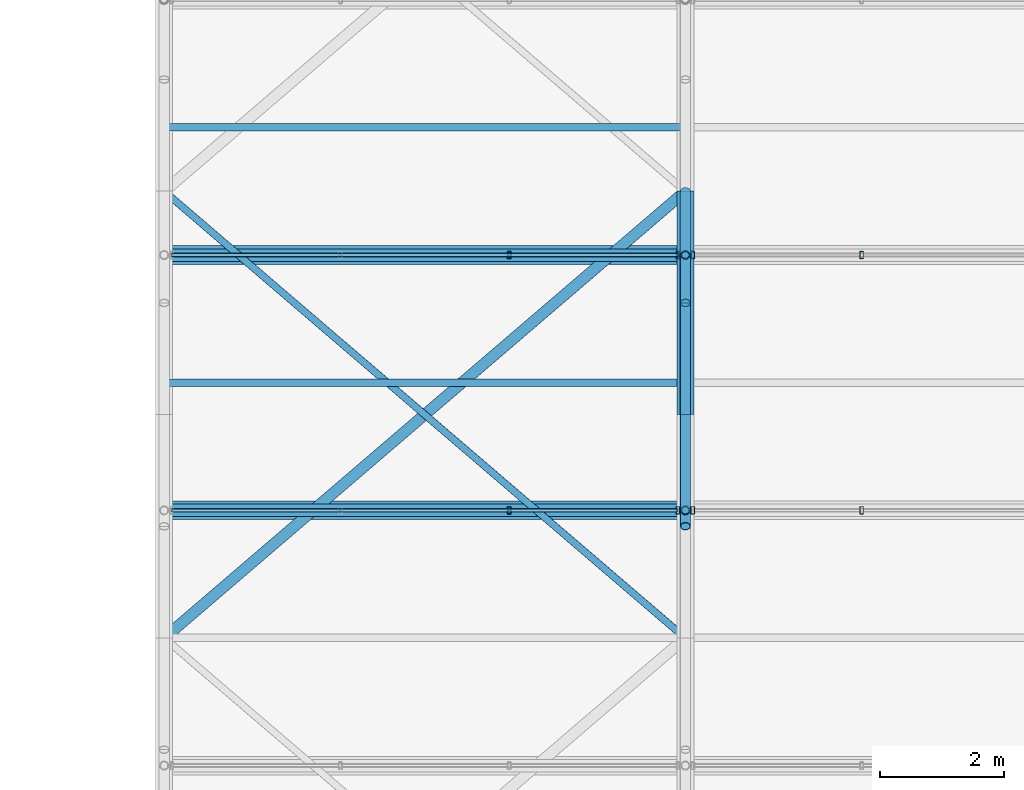
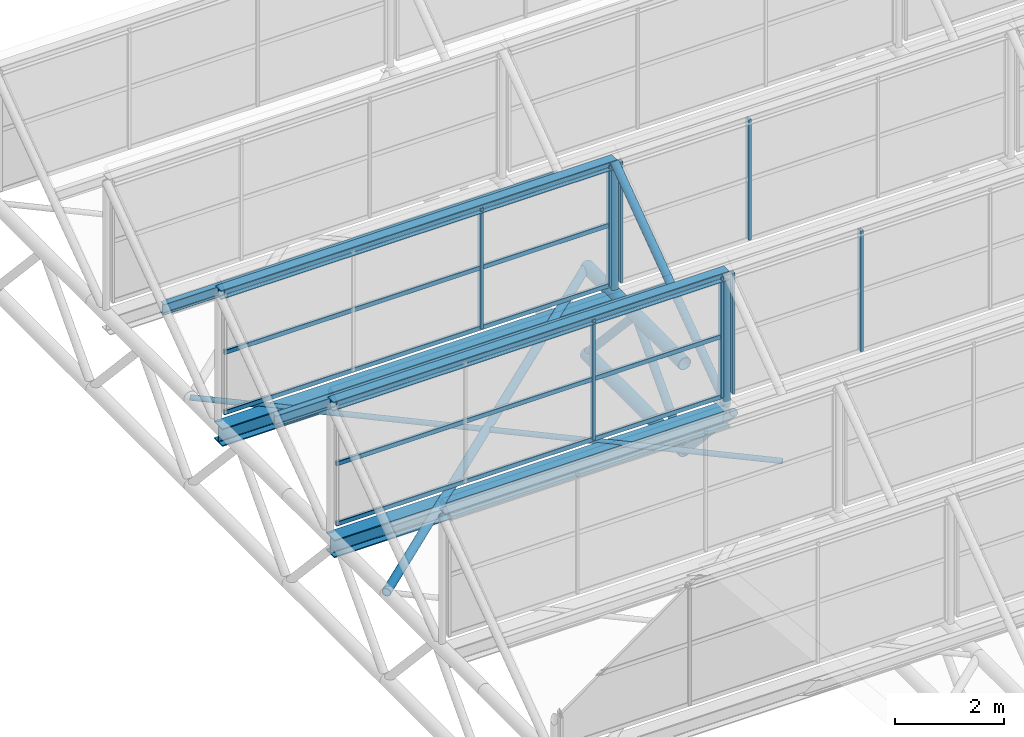
# One storey, part 60 of 134: 24 members, 6 beams, 4 elements without a shape of their own.
"""IFC4 building model written with IfcOpenShell, lengths in metres."""

from ifc_helpers import new_model, si_unit, derived_unit, direction, frame, origin, origin_2d, place, context, subcontext, project, spatial, hollow_rectangle, hollow_circle, i_section, extrude, material, material_profile, profile_set, type_object, element, aggregate, save


model = new_model("IFC4")

# Units and contexts
model_context = context("Model", 3, precision=1e-05, world=origin(), true_north=direction((0.0, 1.0)))
body_context = subcontext(model_context, "Body", "Model", "MODEL_VIEW")
ifc_project = project(units=[si_unit("LENGTHUNIT", "METRE"), si_unit("AREAUNIT", "SQUARE_METRE"), si_unit("VOLUMEUNIT", "CUBIC_METRE"), si_unit("PLANEANGLEUNIT", "RADIAN"), si_unit("MASSUNIT", "GRAM", prefix="KILO"), derived_unit("THERMALTRANSMITTANCEUNIT", [(si_unit("MASSUNIT", "GRAM", prefix="KILO"), 1), (si_unit("TIMEUNIT", "SECOND"), -3), (si_unit("THERMODYNAMICTEMPERATUREUNIT", "KELVIN"), -1)])], contexts=[model_context])

# Site, building, storey
site_placement = place(None, origin())
site = spatial("IfcSite", under=ifc_project, at=site_placement, CompositionType="ELEMENT")
building_placement = place(site_placement, origin())
building = spatial("IfcBuilding", under=site, at=building_placement, Name="Kharveza Railside Sports Centre", CompositionType="ELEMENT")
storey_placement = place(building_placement, frame((0.0, 0.0, 12.89990234375)))
storey = spatial("IfcBuildingStorey", under=building, at=storey_placement, Name="L03", CompositionType="ELEMENT", Elevation=12.89990234375)

# Beams
ifc_material_1 = material(Name="Steel S355J2", Category="steel")
ifc_material_profile_1 = material_profile(ifc_material_1, i_section(OverallWidth=0.300048828125, OverallDepth=0.39990234375, WebThickness=0.013427734375, FlangeThickness=0.02392578125, FilletRadius=0.027099609375, at=origin_2d()), Name="HEB 400")
ifc_profile_set_1 = profile_set([ifc_material_profile_1], Name="Steel S355J2")
beam_type_1 = type_object("IfcBeamType", Name="BM-G07", PredefinedType="T_BEAM", material=ifc_profile_set_1)
for number, where, z_axis, x_axis, name in (
    (1, (92.39990234375, 95.656982421875, 1.760009765625), (1.0, 0.0, 0.0), (0.0, 1.0, 0.0), "BM-V2SAW-VAL-5-1"),
    (2, (92.39990234375, 99.771484375, 1.760009765625), (1.0, 0.0, 0.0), (0.0, 1.0, 0.0), "BM-V2SAW-VAL-6-1"),
):
    element("IfcBeam", number, at=place(storey_placement, frame(where, z_axis=z_axis, x_axis=x_axis)), inside=storey, type_object=beam_type_1, Name=name, PredefinedType="T_BEAM", context=body_context, shape_type="SweptSolid", body=[
        extrude(i_section(OverallWidth=0.300048828125, OverallDepth=0.39990234375, WebThickness=0.013427734375, FlangeThickness=0.02392578125, FilletRadius=0.027099609375, at=origin_2d()), origin(), (0.0, 0.0, 1.0), 8.400146484375),
    ])
ifc_material_2 = material(Name="Steel S275JR", Category="steel")
ifc_material_profile_2 = material_profile(ifc_material_2, i_section(OverallWidth=0.1201171875, OverallDepth=0.239990234375, WebThickness=0.006103515625, FlangeThickness=0.009765625, FilletRadius=0.014892578125, at=origin_2d()), Name="IPE 240")
ifc_profile_set_2 = profile_set([ifc_material_profile_2], Name="Steel S275JR")
beam_type_2 = type_object("IfcBeamType", Name="BM-J01", PredefinedType="JOIST", material=ifc_profile_set_2)
for number, where, z_axis, x_axis, name in (
    (3, (92.39990234375, 97.714111328125, 3.320068359375), (1.0, 0.0, 0.0), (0.0, 1.0, 0.0), "BM-V2SAW-PUR-5-1"),
    (4, (92.39990234375, 101.82861328125, 3.320068359375), (1.0, 0.0, 0.0), (0.0, 1.0, 0.0), "BM-V2SAW-PUR-6-1"),
):
    element("IfcBeam", number, at=place(storey_placement, frame(where, z_axis=z_axis, x_axis=x_axis)), inside=storey, type_object=beam_type_2, Name=name, PredefinedType="JOIST", context=body_context, shape_type="SweptSolid", body=[
        extrude(i_section(OverallWidth=0.1201171875, OverallDepth=0.239990234375, WebThickness=0.006103515625, FlangeThickness=0.009765625, FilletRadius=0.014892578125, at=origin_2d()), origin(), (0.0, 0.0, 1.0), 8.400146484375),
    ])
ifc_material_profile_3 = material_profile(ifc_material_2, i_section(OverallWidth=0.199951171875, OverallDepth=0.199951171875, WebThickness=0.009033203125, FlangeThickness=0.014892578125, FilletRadius=0.01806640625, at=origin_2d()), Name="HEB 200")
ifc_profile_set_3 = profile_set([ifc_material_profile_3], Name="Steel S275JR")
beam_type_3 = type_object("IfcBeamType", Name="BM-J05", PredefinedType="JOIST", material=ifc_profile_set_3)
for number, where, z_axis, x_axis, name in (
    (5, (92.39990234375, 95.656982421875, 4.920166015625), (1.0, 0.0, 0.0), (0.0, 1.0, 0.0), "BM-V2SAW-RDG-4-1"),
    (6, (92.39990234375, 99.771484375, 4.920166015625), (1.0, 0.0, 0.0), (0.0, 1.0, 0.0), "BM-V2SAW-RDG-5-1"),
):
    element("IfcBeam", number, at=place(storey_placement, frame(where, z_axis=z_axis, x_axis=x_axis)), inside=storey, type_object=beam_type_3, Name=name, PredefinedType="JOIST", context=body_context, shape_type="SweptSolid", body=[
        extrude(i_section(OverallWidth=0.199951171875, OverallDepth=0.199951171875, WebThickness=0.009033203125, FlangeThickness=0.014892578125, FilletRadius=0.01806640625, at=origin_2d()), origin(), (0.0, 0.0, 1.0), 8.400146484375),
    ])

# Curtain wall, members
ifc_material_3 = material(Name="Low-E solar-control laminated glass", Category="glass")
curtain_wall_type = type_object("IfcCurtainWallType", Name="CW-NL02", PredefinedType="NOTDEFINED", material=ifc_material_3)
curtain_wall_1_placement = place(storey_placement, origin())
curtain_wall_1 = element("IfcCurtainWall", 7, at=curtain_wall_1_placement, inside=storey, type_object=curtain_wall_type, Name="CW-V2NL-4-1", PredefinedType="NOTDEFINED")
ifc_material_4 = material(Name="Anodised aluminium 6063-T6", Category="aluminium")
ifc_material_profile_4 = material_profile(ifc_material_4, hollow_rectangle(XDim=0.06005859375, YDim=0.1201171875, WallThickness=0.0048828125, InnerFilletRadius=0.0048828125, OuterFilletRadius=0.010009765625, at=origin_2d()), Name="RHS 60x120x5.0")
ifc_profile_set_4 = profile_set([ifc_material_profile_4], Name="Anodised aluminium 6063-T6")
member_type_1 = type_object("IfcMemberType", Name="CW-ML05", PredefinedType="MULLION", material=ifc_profile_set_4)
member_1_placement = place(storey_placement, frame((97.9599609375, 95.656982421875, 2.2001953125), z_axis=(0.0, 0.0, 1.0), x_axis=(1.0, 0.0, 0.0)))
member_1 = element("IfcMember", 8, at=member_1_placement, type_object=member_type_1, Name="CW-V2NL-4-1-ML3", PredefinedType="MULLION", context=body_context, shape_type="SweptSolid", body=[
    extrude(hollow_rectangle(XDim=0.06005859375, YDim=0.1201171875, WallThickness=0.0048828125, InnerFilletRadius=0.0048828125, OuterFilletRadius=0.010009765625, at=origin_2d()), origin(), (0.0, 0.0, 1.0), 2.699951171875),
])
member_2_placement = place(storey_placement, frame((100.679931640625, 95.656982421875, 2.2001953125), z_axis=(0.0, 0.0, 1.0), x_axis=(1.0, 0.0, 0.0)))
member_2 = element("IfcMember", 9, at=member_2_placement, type_object=member_type_1, Name="CW-V2NL-4-1-ML4", PredefinedType="MULLION", context=body_context, shape_type="SweptSolid", body=[
    extrude(hollow_rectangle(XDim=0.06005859375, YDim=0.1201171875, WallThickness=0.0048828125, InnerFilletRadius=0.0048828125, OuterFilletRadius=0.010009765625, at=origin_2d()), origin(), (0.0, 0.0, 1.0), 2.699951171875),
])

curtain_wall_2_placement = place(storey_placement, origin())
curtain_wall_2 = element("IfcCurtainWall", 10, at=curtain_wall_2_placement, inside=storey, type_object=curtain_wall_type, Name="CW-V2NL-4-2", PredefinedType="NOTDEFINED")
member_3_placement = place(storey_placement, frame((100.919921875, 95.656982421875, 2.2001953125), z_axis=(0.0, 0.0, 1.0), x_axis=(1.0, 0.0, 0.0)))
member_3 = element("IfcMember", 11, at=member_3_placement, type_object=member_type_1, Name="CW-V2NL-4-2-ML1", PredefinedType="MULLION", context=body_context, shape_type="SweptSolid", body=[
    extrude(hollow_rectangle(XDim=0.06005859375, YDim=0.1201171875, WallThickness=0.0048828125, InnerFilletRadius=0.0048828125, OuterFilletRadius=0.010009765625, at=origin_2d()), origin(), (0.0, 0.0, 1.0), 2.699951171875),
])
member_4_placement = place(storey_placement, frame((103.639892578125, 95.656982421875, 2.2001953125), z_axis=(0.0, 0.0, 1.0), x_axis=(1.0, 0.0, 0.0)))
member_4 = element("IfcMember", 12, at=member_4_placement, type_object=member_type_1, Name="CW-V2NL-4-2-ML2", PredefinedType="MULLION", context=body_context, shape_type="SweptSolid", body=[
    extrude(hollow_rectangle(XDim=0.06005859375, YDim=0.1201171875, WallThickness=0.0048828125, InnerFilletRadius=0.0048828125, OuterFilletRadius=0.010009765625, at=origin_2d()), origin(), (0.0, 0.0, 1.0), 2.699951171875),
])
aggregate(curtain_wall_2, [member_3, member_4])

curtain_wall_3_placement = place(storey_placement, origin())
curtain_wall_3 = element("IfcCurtainWall", 13, at=curtain_wall_3_placement, inside=storey, type_object=curtain_wall_type, Name="CW-V2NL-5-1", PredefinedType="NOTDEFINED")
member_5_placement = place(storey_placement, frame((97.9599609375, 99.771484375, 2.2001953125), z_axis=(0.0, 0.0, 1.0), x_axis=(1.0, 0.0, 0.0)))
member_5 = element("IfcMember", 14, at=member_5_placement, type_object=member_type_1, Name="CW-V2NL-5-1-ML3", PredefinedType="MULLION", context=body_context, shape_type="SweptSolid", body=[
    extrude(hollow_rectangle(XDim=0.06005859375, YDim=0.1201171875, WallThickness=0.0048828125, InnerFilletRadius=0.0048828125, OuterFilletRadius=0.010009765625, at=origin_2d()), origin(), (0.0, 0.0, 1.0), 2.699951171875),
])
member_6_placement = place(storey_placement, frame((100.679931640625, 99.771484375, 2.2001953125), z_axis=(0.0, 0.0, 1.0), x_axis=(1.0, 0.0, 0.0)))
member_6 = element("IfcMember", 15, at=member_6_placement, type_object=member_type_1, Name="CW-V2NL-5-1-ML4", PredefinedType="MULLION", context=body_context, shape_type="SweptSolid", body=[
    extrude(hollow_rectangle(XDim=0.06005859375, YDim=0.1201171875, WallThickness=0.0048828125, InnerFilletRadius=0.0048828125, OuterFilletRadius=0.010009765625, at=origin_2d()), origin(), (0.0, 0.0, 1.0), 2.699951171875),
])

curtain_wall_4_placement = place(storey_placement, origin())
curtain_wall_4 = element("IfcCurtainWall", 16, at=curtain_wall_4_placement, inside=storey, type_object=curtain_wall_type, Name="CW-V2NL-5-2", PredefinedType="NOTDEFINED")
member_7_placement = place(storey_placement, frame((100.919921875, 99.771484375, 2.2001953125), z_axis=(0.0, 0.0, 1.0), x_axis=(1.0, 0.0, 0.0)))
member_7 = element("IfcMember", 17, at=member_7_placement, type_object=member_type_1, Name="CW-V2NL-5-2-ML1", PredefinedType="MULLION", context=body_context, shape_type="SweptSolid", body=[
    extrude(hollow_rectangle(XDim=0.06005859375, YDim=0.1201171875, WallThickness=0.0048828125, InnerFilletRadius=0.0048828125, OuterFilletRadius=0.010009765625, at=origin_2d()), origin(), (0.0, 0.0, 1.0), 2.699951171875),
])
member_8_placement = place(storey_placement, frame((103.639892578125, 99.771484375, 2.2001953125), z_axis=(0.0, 0.0, 1.0), x_axis=(1.0, 0.0, 0.0)))
member_8 = element("IfcMember", 18, at=member_8_placement, type_object=member_type_1, Name="CW-V2NL-5-2-ML2", PredefinedType="MULLION", context=body_context, shape_type="SweptSolid", body=[
    extrude(hollow_rectangle(XDim=0.06005859375, YDim=0.1201171875, WallThickness=0.0048828125, InnerFilletRadius=0.0048828125, OuterFilletRadius=0.010009765625, at=origin_2d()), origin(), (0.0, 0.0, 1.0), 2.699951171875),
])
aggregate(curtain_wall_4, [member_7, member_8])

# Member
ifc_material_profile_5 = material_profile(ifc_material_4, hollow_rectangle(XDim=0.06005859375, YDim=0.10009765625, WallThickness=0.00390625, InnerFilletRadius=0.00390625, OuterFilletRadius=0.008056640625, at=origin_2d()), Name="RHS 60x100x4.0")
ifc_profile_set_5 = profile_set([ifc_material_profile_5], Name="Anodised aluminium 6063-T6")
member_type_2 = type_object("IfcMemberType", Name="CW-TR05", PredefinedType="USERDEFINED", material=ifc_profile_set_5)
member_9_placement = place(storey_placement, frame((92.52001953125, 95.656982421875, 2.2001953125), z_axis=(1.0, 0.0, 0.0), x_axis=(0.0, 1.0, 0.0)))
member_9 = element("IfcMember", 19, at=member_9_placement, type_object=member_type_2, Name="CW-V2NL-4-1-TR1", ObjectType="TRANSOM", PredefinedType="USERDEFINED", context=body_context, shape_type="SweptSolid", body=[
    extrude(hollow_rectangle(XDim=0.06005859375, YDim=0.10009765625, WallThickness=0.00390625, InnerFilletRadius=0.00390625, OuterFilletRadius=0.008056640625, at=origin_2d()), origin(), (0.0, 0.0, 1.0), 8.159912109375),
])

member_10_placement = place(storey_placement, frame((92.52001953125, 95.656982421875, 3.550048828125), z_axis=(1.0, 0.0, 0.0), x_axis=(0.0, 1.0, 0.0)))
member_10 = element("IfcMember", 20, at=member_10_placement, type_object=member_type_2, Name="CW-V2NL-4-1-TR2", ObjectType="TRANSOM", PredefinedType="USERDEFINED", context=body_context, shape_type="SweptSolid", body=[
    extrude(hollow_rectangle(XDim=0.06005859375, YDim=0.10009765625, WallThickness=0.00390625, InnerFilletRadius=0.00390625, OuterFilletRadius=0.008056640625, at=origin_2d()), origin(), (0.0, 0.0, 1.0), 8.159912109375),
])

member_11_placement = place(storey_placement, frame((92.52001953125, 95.656982421875, 4.900146484375), z_axis=(1.0, 0.0, 0.0), x_axis=(0.0, 1.0, 0.0)))
member_11 = element("IfcMember", 21, at=member_11_placement, type_object=member_type_2, Name="CW-V2NL-4-1-TR3", ObjectType="TRANSOM", PredefinedType="USERDEFINED", context=body_context, shape_type="SweptSolid", body=[
    extrude(hollow_rectangle(XDim=0.06005859375, YDim=0.10009765625, WallThickness=0.00390625, InnerFilletRadius=0.00390625, OuterFilletRadius=0.008056640625, at=origin_2d()), origin(), (0.0, 0.0, 1.0), 8.159912109375),
])

aggregate(curtain_wall_1, [member_1, member_2, member_9, member_10, member_11])

member_12_placement = place(storey_placement, frame((92.52001953125, 99.771484375, 2.2001953125), z_axis=(1.0, 0.0, 0.0), x_axis=(0.0, 1.0, 0.0)))
member_12 = element("IfcMember", 22, at=member_12_placement, type_object=member_type_2, Name="CW-V2NL-5-1-TR1", ObjectType="TRANSOM", PredefinedType="USERDEFINED", context=body_context, shape_type="SweptSolid", body=[
    extrude(hollow_rectangle(XDim=0.06005859375, YDim=0.10009765625, WallThickness=0.00390625, InnerFilletRadius=0.00390625, OuterFilletRadius=0.008056640625, at=origin_2d()), origin(), (0.0, 0.0, 1.0), 8.159912109375),
])

member_13_placement = place(storey_placement, frame((92.52001953125, 99.771484375, 3.550048828125), z_axis=(1.0, 0.0, 0.0), x_axis=(0.0, 1.0, 0.0)))
member_13 = element("IfcMember", 23, at=member_13_placement, type_object=member_type_2, Name="CW-V2NL-5-1-TR2", ObjectType="TRANSOM", PredefinedType="USERDEFINED", context=body_context, shape_type="SweptSolid", body=[
    extrude(hollow_rectangle(XDim=0.06005859375, YDim=0.10009765625, WallThickness=0.00390625, InnerFilletRadius=0.00390625, OuterFilletRadius=0.008056640625, at=origin_2d()), origin(), (0.0, 0.0, 1.0), 8.159912109375),
])

member_14_placement = place(storey_placement, frame((92.52001953125, 99.771484375, 4.900146484375), z_axis=(1.0, 0.0, 0.0), x_axis=(0.0, 1.0, 0.0)))
member_14 = element("IfcMember", 24, at=member_14_placement, type_object=member_type_2, Name="CW-V2NL-5-1-TR3", ObjectType="TRANSOM", PredefinedType="USERDEFINED", context=body_context, shape_type="SweptSolid", body=[
    extrude(hollow_rectangle(XDim=0.06005859375, YDim=0.10009765625, WallThickness=0.00390625, InnerFilletRadius=0.00390625, OuterFilletRadius=0.008056640625, at=origin_2d()), origin(), (0.0, 0.0, 1.0), 8.159912109375),
])

aggregate(curtain_wall_3, [member_5, member_6, member_12, member_13, member_14])

# Members
ifc_material_profile_6 = material_profile(ifc_material_1, hollow_circle(Radius=0.0888671875, WallThickness=0.010009765625, at=origin_2d()), Name="CHS 177.8x10.0")
ifc_profile_set_6 = profile_set([ifc_material_profile_6], Name="Steel S355J2")
member_type_3 = type_object("IfcMemberType", Name="MB-BR03", PredefinedType="BRACE", material=ifc_profile_set_6)
member_15_placement = place(storey_placement, frame((92.39990234375, 93.60009765625, 1.9501953125), z_axis=(0.759264390716, 0.650782286936, 0.0), x_axis=(-0.650782286936, 0.759264390716, 0.0)))
element("IfcMember", 25, at=member_15_placement, inside=storey, type_object=member_type_3, Name="MB-ROOFBR-V2-1-3A", PredefinedType="BRACE", context=body_context, shape_type="SweptSolid", body=[
    extrude(hollow_circle(Radius=0.0888671875, WallThickness=0.010009765625, at=origin_2d()), origin(), (0.0, 0.0, 1.0), 11.0634765625),
])
ifc_material_profile_7 = material_profile(ifc_material_2, hollow_circle(Radius=0.05712890625, WallThickness=0.00634765625, at=origin_2d()), Name="CHS 114.3x6.3")
ifc_profile_set_7 = profile_set([ifc_material_profile_7], Name="Steel S275JR")
member_type_4 = type_object("IfcMemberType", Name="MB-BR04", PredefinedType="BRACE", material=ifc_profile_set_7)
member_16_placement = place(storey_placement, frame((100.800048828125, 93.60009765625, 1.9501953125), z_axis=(-0.759264390716, 0.650782286936, 0.0), x_axis=(-0.650782286936, -0.759264390716, 0.0)))
element("IfcMember", 26, at=member_16_placement, inside=storey, type_object=member_type_4, Name="MB-ROOFBR-V2-1-3B", PredefinedType="BRACE", context=body_context, shape_type="SweptSolid", body=[
    extrude(hollow_circle(Radius=0.05712890625, WallThickness=0.00634765625, at=origin_2d()), origin(), (0.0, 0.0, 1.0), 11.0634765625),
])
ifc_material_profile_8 = material_profile(ifc_material_1, hollow_circle(Radius=0.136474609375, WallThickness=0.01416015625, at=origin_2d()), Name="CHS 273.0x14.2")
ifc_profile_set_8 = profile_set([ifc_material_profile_8], Name="Steel S355J2")
member_type_5 = type_object("IfcMemberType", Name="MB-CH03", PredefinedType="CHORD", material=ifc_profile_set_8)
for number, where, z_axis, x_axis, name in (
    (27, (100.800048828125, 97.199951171875, 0.0), (0.0, 1.0, 0.0), (-1.0, 0.0, 0.0), "MB-V2TR-BC-2-6"),
    (28, (100.800048828125, 97.199951171875, 1.9501953125), (0.0, 1.0, 0.0), (-1.0, 0.0, 0.0), "MB-V2TR-TC-2-6"),
):
    element("IfcMember", number, at=place(storey_placement, frame(where, z_axis=z_axis, x_axis=x_axis)), inside=storey, type_object=member_type_5, Name=name, PredefinedType="CHORD", context=body_context, shape_type="SweptSolid", body=[
        extrude(hollow_circle(Radius=0.136474609375, WallThickness=0.01416015625, at=origin_2d()), origin(), (0.0, 0.0, 1.0), 3.60009765625),
    ])
ifc_material_profile_9 = material_profile(ifc_material_1, hollow_circle(Radius=0.084228515625, WallThickness=0.010009765625, at=origin_2d()), Name="CHS 168.3x10.0")
ifc_profile_set_9 = profile_set([ifc_material_profile_9], Name="Steel S355J2")
member_type_6 = type_object("IfcMemberType", Name="MB-ST03", PredefinedType="STRUT", material=ifc_profile_set_9)
for number, where, z_axis, x_axis, name in (
    (29, (100.800048828125, 95.39990234375, 1.9501953125), (0.0, 0.67825335715, -0.734828131956), (-1.0, 0.0, 0.0), "MB-V2TR-D2-2-5"),
    (30, (100.800048828125, 97.199951171875, 0.0), (0.0, 0.67825335715, 0.734828131956), (-1.0, 0.0, 0.0), "MB-V2TR-D1-2-6"),
    (31, (100.800048828125, 99.0, 1.9501953125), (0.0, 0.67825335715, -0.734828131956), (-1.0, 0.0, 0.0), "MB-V2TR-D2-2-6"),
):
    element("IfcMember", number, at=place(storey_placement, frame(where, z_axis=z_axis, x_axis=x_axis)), inside=storey, type_object=member_type_6, Name=name, PredefinedType="STRUT", context=body_context, shape_type="SweptSolid", body=[
        extrude(hollow_circle(Radius=0.084228515625, WallThickness=0.010009765625, at=origin_2d()), origin(), (0.0, 0.0, 1.0), 2.654052734375),
    ])
member_17_placement = place(storey_placement, frame((100.800048828125, 95.656982421875, 1.9501953125), z_axis=(0.0, 0.810830173333, 0.585281496386), x_axis=(-1.0, 0.0, 0.0)))
element("IfcMember", 32, at=member_17_placement, inside=storey, type_object=member_type_6, Name="MB-V2SAW-RFT-5-2", PredefinedType="STRUT", context=body_context, shape_type="SweptSolid", body=[
    extrude(hollow_circle(Radius=0.084228515625, WallThickness=0.010009765625, at=origin_2d()), origin(), (0.0, 0.0, 1.0), 5.074462890625),
])
ifc_material_profile_10 = material_profile(ifc_material_1, hollow_circle(Radius=0.06982421875, WallThickness=0.008056640625, at=origin_2d()), Name="CHS 139.7x8.0")
ifc_profile_set_10 = profile_set([ifc_material_profile_10], Name="Steel S355J2")
member_type_7 = type_object("IfcMemberType", Name="MB-ST04", PredefinedType="STRUT", material=ifc_profile_set_10)
for number, where, z_axis, x_axis, name in (
    (33, (100.800048828125, 95.656982421875, 1.9501953125), (0.0, 0.0, 1.0), (1.0, 0.0, 0.0), "MB-V2SAW-PST-4-2"),
    (34, (100.800048828125, 99.771484375, 1.9501953125), (0.0, 0.0, 1.0), (1.0, 0.0, 0.0), "MB-V2SAW-PST-5-2"),
):
    element("IfcMember", number, at=place(storey_placement, frame(where, z_axis=z_axis, x_axis=x_axis)), inside=storey, type_object=member_type_7, Name=name, PredefinedType="STRUT", context=body_context, shape_type="SweptSolid", body=[
        extrude(hollow_circle(Radius=0.06982421875, WallThickness=0.008056640625, at=origin_2d()), origin(), (0.0, 0.0, 1.0), 2.969970703125),
    ])

save(model, "model.ifc")
